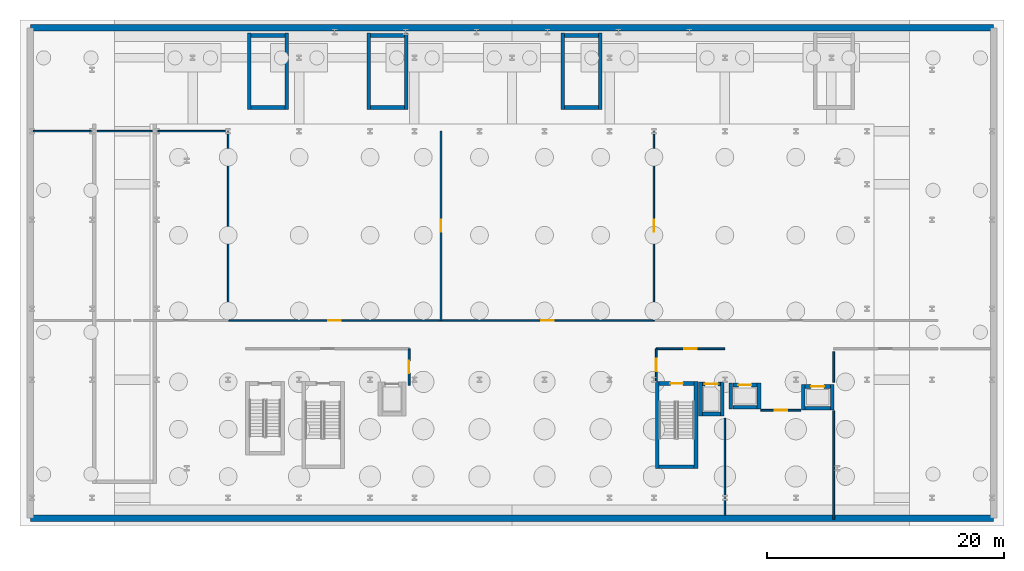
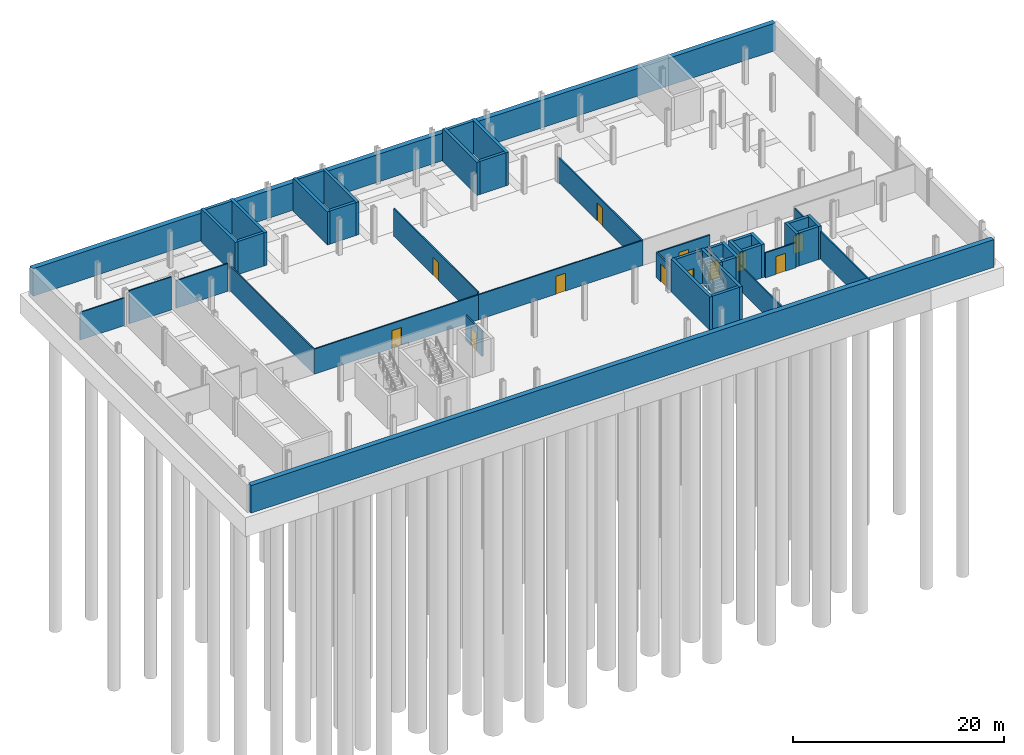
# One storey, part 3 of 7: 45 walls, 12 doors, 12 openings.
"""IFC4 building model written with IfcOpenShell, lengths in metres."""

import ifcopenshell
import ifcopenshell.guid

model = None  # the IFC model being written
_history = None  # IfcOwnerHistory: only IFC2X3 demands one
_inside = {}  # id of a spatial element -> (the spatial element, [elements in it])
_under = {}  # id of a project, library or spatial element -> (it, [spatial elements below it])
_declared = {}  # id of a project -> (the project, [libraries it declares])
_typed = {}  # id of a type object -> (the type object, [elements of that type])
_made_of = {}  # id of a material, layer set ... -> (it, [elements and type objects made of it])


def new_model(schema):
    """Start an empty IFC model of exactly this schema.

    Asked for "IFC4X3", IfcOpenShell would pick the latest addendum, in which some entities
    have other attributes; the version numbers below select the first issue.
    IFC2X3 requires an IfcOwnerHistory on every rooted entity: one is made here for all.
    """
    global model, _history
    if schema == "IFC4X3":
        model = ifcopenshell.file(schema_version=(4, 3, 0, 0))
    else:
        model = ifcopenshell.file(schema=schema)
    _inside.clear()
    _under.clear()
    _declared.clear()
    _typed.clear()
    _made_of.clear()
    _history = None
    if model.schema == "IFC2X3":
        org = make("IfcOrganization", Name="unknown")
        user = make(
            "IfcPersonAndOrganization",
            ThePerson=make("IfcPerson", FamilyName="unknown"),
            TheOrganization=org,
        )
        app = make(
            "IfcApplication",
            ApplicationDeveloper=org,
            Version="unknown",
            ApplicationFullName="unknown",
            ApplicationIdentifier="unknown",
        )
        _history = make(
            "IfcOwnerHistory",
            OwningUser=user,
            OwningApplication=app,
            ChangeAction="ADDED",
            CreationDate=0,
        )
    return model


def make(cls, **values):
    """One entity of the class cls with the attributes given. An attribute that is None is left unset."""
    return model.create_entity(
        cls, **{name: value for name, value in values.items() if value is not None}
    )


def rooted(cls, **values):
    """An entity with a GlobalId (a new one), such as an element, a storey or a relation."""
    return make(cls, GlobalId=ifcopenshell.guid.new(), OwnerHistory=_history, **values)


def si_unit(unit_type, name, prefix=None):
    """IfcSIUnit, for example si_unit("LENGTHUNIT", "METRE", prefix="MILLI")."""
    return make("IfcSIUnit", UnitType=unit_type, Prefix=prefix, Name=name)


def assignment(units):
    """IfcUnitAssignment: the units of a project."""
    return None if units is None else make("IfcUnitAssignment", Units=units)


def point(xyz):
    """IfcCartesianPoint."""
    return None if xyz is None else make("IfcCartesianPoint", Coordinates=xyz)


def direction(xyz):
    """IfcDirection."""
    return None if xyz is None else make("IfcDirection", DirectionRatios=xyz)


def frame(location, z_axis=None, x_axis=None):
    """IfcAxis2Placement3D, a coordinate frame: its origin and axes. An axis left out is left unset."""
    return make(
        "IfcAxis2Placement3D",
        Location=point(location),
        Axis=direction(z_axis),
        RefDirection=direction(x_axis),
    )


def frame_2d(location, x_axis=None):
    """IfcAxis2Placement2D, a coordinate frame in the plane: its origin and x axis."""
    return make(
        "IfcAxis2Placement2D", Location=point(location), RefDirection=direction(x_axis)
    )


def origin():
    """The frame at (0, 0, 0) with its axes left unset."""
    return frame((0.0, 0.0, 0.0))


def place(relative_to, where):
    """IfcLocalPlacement: puts the frame where relative to a parent placement (None: the world)."""
    return make(
        "IfcLocalPlacement", PlacementRelTo=relative_to, RelativePlacement=where
    )


def context(
    kind, dimensions, precision=None, world=None, true_north=None, identifier=None
):
    """IfcGeometricRepresentationContext, for example the 3D "Model" context."""
    return make(
        "IfcGeometricRepresentationContext",
        ContextIdentifier=identifier,
        ContextType=kind,
        CoordinateSpaceDimension=dimensions,
        Precision=precision,
        WorldCoordinateSystem=world,
        TrueNorth=true_north,
    )


def subcontext(parent, identifier, kind, view, scale=None):
    """IfcGeometricRepresentationSubContext, for example "Body" below "Model"."""
    return make(
        "IfcGeometricRepresentationSubContext",
        ContextIdentifier=identifier,
        ContextType=kind,
        ParentContext=parent,
        TargetScale=scale,
        TargetView=view,
    )


def project(units=None, contexts=None):
    """IfcProject with its units and contexts."""
    return rooted(
        "IfcProject",
        Name="project",
        RepresentationContexts=contexts,
        UnitsInContext=assignment(units),
    )


def spatial(cls, under=None, at=None, **own):
    """A site, building, storey or space (cls), placed at a placement, below another one or the project."""
    s = rooted(cls, ObjectPlacement=at, **own)
    if under is not None:
        _under.setdefault(under.id(), (under, []))[1].append(s)
    return s


def profile(cls, at=None, kind="AREA", **sizes):
    """A parametric profile (cls). Its sizes go by their IFC names, for example OverallWidth=200.0."""
    return make(cls, ProfileType=kind, Position=at, **sizes)


def rectangle(**sizes):
    """IfcRectangleProfileDef."""
    return profile("IfcRectangleProfileDef", **sizes)


def extrude(swept, where, along, depth):
    """IfcExtrudedAreaSolid: the profile swept, set in the frame where, extruded along a direction by depth."""
    return make(
        "IfcExtrudedAreaSolid",
        SweptArea=swept,
        Position=where,
        ExtrudedDirection=direction(along),
        Depth=depth,
    )


def shape(context_of_items, identifier, shape_type, items):
    """IfcShapeRepresentation: the items that make up one representation, for example the "Body"."""
    return make(
        "IfcShapeRepresentation",
        ContextOfItems=context_of_items,
        RepresentationIdentifier=identifier,
        RepresentationType=shape_type,
        Items=items,
    )


def material(Name=None, Category=None):
    """IfcMaterial."""
    return make("IfcMaterial", Name=Name, Category=Category)


def layer(
    of_material, thickness, ventilated=None, Name=None, Category=None, Priority=None
):
    """IfcMaterialLayer: one layer of a wall or slab, of a material (None: an air gap)."""
    return make(
        "IfcMaterialLayer",
        Material=of_material,
        LayerThickness=thickness,
        IsVentilated=ventilated,
        Name=Name,
        Category=Category,
        Priority=Priority,
    )


def layer_set(layers, Name=None):
    """IfcMaterialLayerSet."""
    return make("IfcMaterialLayerSet", MaterialLayers=layers, LayerSetName=Name)


def made_of(thing, what):
    """Note that an element or type object is made of a material, layer set ...; save() writes the relation."""
    if what is not None:
        _made_of.setdefault(what.id(), (what, []))[1].append(thing)
    return thing


def type_object(cls, material=None, **own):
    """A type object (cls), such as IfcWallType, which elements share."""
    return made_of(rooted(cls, **own), material)


def element(
    cls,
    number,
    at=None,
    inside=None,
    cuts=None,
    type_object=None,
    material=None,
    context=None,
    identifier="Body",
    shape_type=None,
    held_by="IfcProductDefinitionShape",
    body=None,
    shapes=None,
    **own,
):
    """One element of the class cls, such as IfcWall. Its Tag is "e" and its number.

    at: its placement. inside: the storey or other place that contains it. cuts: it is an
    opening in that element (IfcRelVoidsElement). A single representation is given by context,
    identifier, shape_type and body (its items); several are given by shapes. held_by: the class
    of the entity that holds the representations. save() writes the other relations.
    """
    e = rooted(cls, Tag="e%d" % number, ObjectPlacement=at, **own)
    if body is not None:
        shapes = [shape(context, identifier, shape_type, body)]
    if shapes is not None:
        e.Representation = make(held_by, Representations=shapes)
    if inside is not None:
        _inside.setdefault(inside.id(), (inside, []))[1].append(e)
    if cuts is not None:
        rooted(
            "IfcRelVoidsElement", RelatingBuildingElement=cuts, RelatedOpeningElement=e
        )
    if type_object is not None:
        _typed.setdefault(type_object.id(), (type_object, []))[1].append(e)
    return made_of(e, material)


def fill(opening, filler):
    """IfcRelFillsElement: the door or window that sits in an opening."""
    return rooted(
        "IfcRelFillsElement",
        RelatingOpeningElement=opening,
        RelatedBuildingElement=filler,
    )


def aggregate(whole, parts):
    """IfcRelAggregates: a whole, such as a stair, and the parts it consists of."""
    return rooted("IfcRelAggregates", RelatingObject=whole, RelatedObjects=parts)


def save(model, path):
    """Write the relations noted so far, then the file.

    IfcRelAggregates (storeys below a building ...), IfcRelContainedInSpatialStructure (elements
    in a storey), IfcRelDefinesByType, IfcRelAssociatesMaterial and IfcRelDeclares: one each for
    every whole, place, type object, material and project.
    """
    for whole, parts in _under.values():
        aggregate(whole, parts)
    for where, things in _inside.values():
        rooted(
            "IfcRelContainedInSpatialStructure",
            RelatedElements=things,
            RelatingStructure=where,
        )
    for kind, things in _typed.values():
        rooted("IfcRelDefinesByType", RelatedObjects=things, RelatingType=kind)
    for what, things in _made_of.values():
        rooted("IfcRelAssociatesMaterial", RelatedObjects=things, RelatingMaterial=what)
    for by, libraries in _declared.values():
        rooted("IfcRelDeclares", RelatingContext=by, RelatedDefinitions=libraries)
    model.write(path)


model = new_model("IFC4")

# Units and contexts
model_context = context("Model", 3, precision=1e-05, world=origin(), true_north=direction((0.0, 1.0)))
body_context = subcontext(model_context, "Body", "Model", "MODEL_VIEW")
ifc_project = project(units=[si_unit("LENGTHUNIT", "METRE"), si_unit("AREAUNIT", "SQUARE_METRE"), si_unit("VOLUMEUNIT", "CUBIC_METRE"), si_unit("PLANEANGLEUNIT", "RADIAN"), si_unit("MASSUNIT", "GRAM", prefix="KILO")], contexts=[model_context])

# Site, building, storey
site_placement = place(None, origin())
site = spatial("IfcSite", under=ifc_project, at=site_placement, CompositionType="ELEMENT")
building_placement = place(site_placement, origin())
building = spatial("IfcBuilding", under=site, at=building_placement, Name="Brevholm Reach", CompositionType="ELEMENT")
storey_placement = place(building_placement, frame((0.0, 0.0, -8.39990234375)))
storey = spatial("IfcBuildingStorey", under=building, at=storey_placement, Name="B02", CompositionType="ELEMENT", Elevation=-8.39990234375)

# Walls
ifc_material_1 = material(Name="Concrete C60/75", Category="concrete")
ifc_layer_1 = layer(ifc_material_1, 0.320068359375)
ifc_layer_set_1 = layer_set([ifc_layer_1], Name="Concrete C60/75")
wall_type_1 = type_object("IfcWallType", Name="WAL-COR-320", PredefinedType="SHEAR", material=ifc_layer_set_1)
for number, where, z_axis, x_axis, name in (
    (1, (42.2900390625, 2.4599609375, 0.0), (0.0, 0.0, 1.0), (0.0, 1.0, 0.0), "B02 Escape Stair ST-2 Core Wall W"),
    (2, (45.56005859375, 2.4599609375, 0.0), (0.0, 0.0, 1.0), (0.0, 1.0, 0.0), "B02 Escape Stair ST-2 Core Wall E"),
):
    element("IfcWall", number, at=place(storey_placement, frame(where, z_axis=z_axis, x_axis=x_axis)), inside=storey, type_object=wall_type_1, Name=name, PredefinedType="SHEAR", context=body_context, shape_type="SweptSolid", body=[
        extrude(rectangle(XDim=7.360107421875, YDim=0.320068359375, at=frame_2d((3.68017578125, 0.0))), origin(), (0.0, 0.0, 1.0), 3.83984375),
    ])
wall_1_placement = place(storey_placement, frame((42.449951171875, 2.6201171875, 0.0), z_axis=(0.0, 0.0, 1.0), x_axis=(1.0, 0.0, 0.0)))
element("IfcWall", 3, at=wall_1_placement, inside=storey, type_object=wall_type_1, Name="B02 Escape Stair ST-2 Core Wall S", PredefinedType="SHEAR", context=body_context, shape_type="SweptSolid", body=[
    extrude(rectangle(XDim=2.949951171875, YDim=0.320068359375, at=frame_2d((1.47509765625, 0.0))), origin(), (0.0, 0.0, 1.0), 3.83984375),
])

# Wall, opening, door
wall_2_placement = place(storey_placement, frame((45.39990234375, 9.659912109375, 0.0), z_axis=(0.0, 0.0, 1.0), x_axis=(-1.0, 0.0, 0.0)))
wall_2 = element("IfcWall", 4, at=wall_2_placement, inside=storey, type_object=wall_type_1, Name="B02 Escape Stair ST-2 Core Wall N", PredefinedType="SHEAR", context=body_context, shape_type="SweptSolid", body=[
    extrude(rectangle(XDim=2.949951171875, YDim=0.320068359375, at=frame_2d((1.47509765625, 0.0))), origin(), (0.0, 0.0, 1.0), 3.83984375),
])
opening_1_placement = place(wall_2_placement, frame((0.949951171875, 0.0, 0.0)))
opening_1 = element("IfcOpeningElement", 5, at=opening_1_placement, cuts=wall_2, Name="Opening SD-ST-2", PredefinedType="OPENING", context=body_context, shape_type="SweptSolid", body=[
    extrude(rectangle(XDim=1.050048828125, YDim=2.06005859375, at=frame_2d((0.52490234375, 1.030029296875))), frame((0.0, 0.169921875, 0.0), z_axis=(0.0, -1.0, 0.0), x_axis=(1.0, 0.0, 0.0)), (0.0, 0.0, 1.0), 0.340087890625),
])
ifc_material_2 = material(Name="Hardwood-Lipped Steel-Core Fire and Smoke Door", Category="steel")
door_type_1 = type_object("IfcDoorType", Name="DOR-INT-FD60S", OperationType="NOTDEFINED", PredefinedType="DOOR", material=ifc_material_2)
door_1_placement = place(opening_1_placement, origin())
door_1 = element("IfcDoor", 6, at=door_1_placement, inside=storey, type_object=door_type_1, Name="B02 Protected Stair ST-2 Lobby Door", OperationType="SINGLE_SWING_LEFT", OverallHeight=2.06005859375, OverallWidth=1.050048828125, PredefinedType="DOOR", context=body_context, shape_type="SweptSolid", body=[
    extrude(rectangle(XDim=1.050048828125, YDim=2.06005859375, at=frame_2d((0.52490234375, 1.030029296875))), frame((0.0, 0.02490234375, 0.0), z_axis=(0.0, -1.0, 0.0), x_axis=(1.0, 0.0, 0.0)), (0.0, 0.0, 1.0), 0.050048828125),
])
fill(opening_1, door_1)

# Walls
for number, where, z_axis, x_axis, name in (
    (7, (45.929931640625, 6.919921875, 0.0), (0.0, 0.0, 1.0), (0.0, 1.0, 0.0), "B02 Lift FFL-2 Shaft Wall W"),
    (8, (47.77001953125, 6.919921875, 0.0), (0.0, 0.0, 1.0), (0.0, 1.0, 0.0), "B02 Lift FFL-2 Shaft Wall E"),
):
    element("IfcWall", number, at=place(storey_placement, frame(where, z_axis=z_axis, x_axis=x_axis)), inside=storey, type_object=wall_type_1, Name=name, PredefinedType="SHEAR", context=body_context, shape_type="SweptSolid", body=[
        extrude(rectangle(XDim=2.860107421875, YDim=0.320068359375, at=frame_2d((1.43017578125, 0.0))), origin(), (0.0, 0.0, 1.0), 3.83984375),
    ])
wall_3_placement = place(storey_placement, frame((46.090087890625, 7.080078125, 0.0), z_axis=(0.0, 0.0, 1.0), x_axis=(1.0, 0.0, 0.0)))
element("IfcWall", 9, at=wall_3_placement, inside=storey, type_object=wall_type_1, Name="B02 Lift FFL-2 Shaft Wall S", PredefinedType="SHEAR", context=body_context, shape_type="SweptSolid", body=[
    extrude(rectangle(XDim=1.52001953125, YDim=0.320068359375, at=frame_2d((0.760009765625, 0.0))), origin(), (0.0, 0.0, 1.0), 3.83984375),
])

# Wall, opening, door
wall_4_placement = place(storey_placement, frame((46.090087890625, 9.6201171875, 0.0), z_axis=(0.0, 0.0, 1.0), x_axis=(1.0, 0.0, 0.0)))
wall_4 = element("IfcWall", 10, at=wall_4_placement, inside=storey, type_object=wall_type_1, Name="B02 Lift FFL-2 Shaft Wall N", PredefinedType="SHEAR", context=body_context, shape_type="SweptSolid", body=[
    extrude(rectangle(XDim=1.52001953125, YDim=0.320068359375, at=frame_2d((0.760009765625, 0.0))), origin(), (0.0, 0.0, 1.0), 3.83984375),
])
opening_2_placement = place(wall_4_placement, frame((0.2099609375, 0.0, 0.0)))
opening_2 = element("IfcOpeningElement", 11, at=opening_2_placement, cuts=wall_4, Name="Opening LD-FFL-2", PredefinedType="OPENING", context=body_context, shape_type="SweptSolid", body=[
    extrude(rectangle(XDim=1.10009765625, YDim=2.06005859375, at=frame_2d((0.550048828125, 1.030029296875))), frame((0.0, 0.169921875, 0.0), z_axis=(0.0, -1.0, 0.0), x_axis=(1.0, 0.0, 0.0)), (0.0, 0.0, 1.0), 0.340087890625),
])
ifc_material_3 = material(Name="Brushed Stainless Steel Fire-Rated Sliding Lift Door", Category="steel")
door_type_2 = type_object("IfcDoorType", Name="DOR-LFT-1100", OperationType="NOTDEFINED", PredefinedType="DOOR", material=ifc_material_3)
door_2_placement = place(opening_2_placement, origin())
door_2 = element("IfcDoor", 12, at=door_2_placement, inside=storey, type_object=door_type_2, Name="B02 Lift FFL-2 Sliding Landing Door", OperationType="SLIDING_TO_LEFT", OverallHeight=2.06005859375, OverallWidth=1.10009765625, PredefinedType="DOOR", context=body_context, shape_type="SweptSolid", body=[
    extrude(rectangle(XDim=1.10009765625, YDim=2.06005859375, at=frame_2d((0.550048828125, 1.030029296875))), frame((0.0, 0.02490234375, 0.0), z_axis=(0.0, -1.0, 0.0), x_axis=(1.0, 0.0, 0.0)), (0.0, 0.0, 1.0), 0.050048828125),
])
fill(opening_2, door_2)

# Walls
for number, where, z_axis, x_axis, name in (
    (13, (48.5048828125, 7.4951171875, 0.0), (0.0, 0.0, 1.0), (0.0, 1.0, 0.0), "B02 Lift PL-L1 Shaft Wall W"),
    (14, (50.89501953125, 7.4951171875, 0.0), (0.0, 0.0, 1.0), (0.0, 1.0, 0.0), "B02 Lift PL-L1 Shaft Wall E"),
):
    element("IfcWall", number, at=place(storey_placement, frame(where, z_axis=z_axis, x_axis=x_axis)), inside=storey, type_object=wall_type_1, Name=name, PredefinedType="SHEAR", context=body_context, shape_type="SweptSolid", body=[
        extrude(rectangle(XDim=2.2099609375, YDim=0.320068359375, at=frame_2d((1.10498046875, 0.0))), origin(), (0.0, 0.0, 1.0), 3.83984375),
    ])
wall_5_placement = place(storey_placement, frame((48.6650390625, 7.655029296875, 0.0), z_axis=(0.0, 0.0, 1.0), x_axis=(1.0, 0.0, 0.0)))
element("IfcWall", 15, at=wall_5_placement, inside=storey, type_object=wall_type_1, Name="B02 Lift PL-L1 Shaft Wall S", PredefinedType="SHEAR", context=body_context, shape_type="SweptSolid", body=[
    extrude(rectangle(XDim=2.070068359375, YDim=0.320068359375, at=frame_2d((1.03515625, 0.0))), origin(), (0.0, 0.0, 1.0), 3.83984375),
])

# Wall, opening, door
wall_6_placement = place(storey_placement, frame((48.6650390625, 9.544921875, 0.0), z_axis=(0.0, 0.0, 1.0), x_axis=(1.0, 0.0, 0.0)))
wall_6 = element("IfcWall", 16, at=wall_6_placement, inside=storey, type_object=wall_type_1, Name="B02 Lift PL-L1 Shaft Wall N", PredefinedType="SHEAR", context=body_context, shape_type="SweptSolid", body=[
    extrude(rectangle(XDim=2.070068359375, YDim=0.320068359375, at=frame_2d((1.03515625, 0.0))), origin(), (0.0, 0.0, 1.0), 3.83984375),
])
opening_3_placement = place(wall_6_placement, frame((0.485107421875, 0.0, 0.0)))
opening_3 = element("IfcOpeningElement", 17, at=opening_3_placement, cuts=wall_6, Name="Opening LD-PL-L1", PredefinedType="OPENING", context=body_context, shape_type="SweptSolid", body=[
    extrude(rectangle(XDim=1.10009765625, YDim=2.06005859375, at=frame_2d((0.550048828125, 1.030029296875))), frame((0.0, 0.169921875, 0.0), z_axis=(0.0, -1.0, 0.0), x_axis=(1.0, 0.0, 0.0)), (0.0, 0.0, 1.0), 0.340087890625),
])
door_3_placement = place(opening_3_placement, origin())
door_3 = element("IfcDoor", 18, at=door_3_placement, inside=storey, type_object=door_type_2, Name="B02 Lift PL-L1 Sliding Landing Door", OperationType="SLIDING_TO_RIGHT", OverallHeight=2.06005859375, OverallWidth=1.10009765625, PredefinedType="DOOR", context=body_context, shape_type="SweptSolid", body=[
    extrude(rectangle(XDim=1.10009765625, YDim=2.06005859375, at=frame_2d((0.550048828125, 1.030029296875))), frame((0.0, 0.02490234375, 0.0), z_axis=(0.0, -1.0, 0.0), x_axis=(1.0, 0.0, 0.0)), (0.0, 0.0, 1.0), 0.050048828125),
])
fill(opening_3, door_3)

# Walls
for number, where, z_axis, x_axis, name in (
    (19, (54.6298828125, 7.419921875, 0.0), (0.0, 0.0, 1.0), (0.0, 1.0, 0.0), "B02 Lift PL-L2 Shaft Wall W"),
    (20, (57.070068359375, 7.419921875, 0.0), (0.0, 0.0, 1.0), (0.0, 1.0, 0.0), "B02 Lift PL-L2 Shaft Wall E"),
):
    element("IfcWall", number, at=place(storey_placement, frame(where, z_axis=z_axis, x_axis=x_axis)), inside=storey, type_object=wall_type_1, Name=name, PredefinedType="SHEAR", context=body_context, shape_type="SweptSolid", body=[
        extrude(rectangle(XDim=2.16015625, YDim=0.320068359375, at=frame_2d((1.080078125, 0.0))), origin(), (0.0, 0.0, 1.0), 3.83984375),
    ])
wall_7_placement = place(storey_placement, frame((54.7900390625, 7.580078125, 0.0), z_axis=(0.0, 0.0, 1.0), x_axis=(1.0, 0.0, 0.0)))
element("IfcWall", 21, at=wall_7_placement, inside=storey, type_object=wall_type_1, Name="B02 Lift PL-L2 Shaft Wall S", PredefinedType="SHEAR", context=body_context, shape_type="SweptSolid", body=[
    extrude(rectangle(XDim=2.119873046875, YDim=0.320068359375, at=frame_2d((1.06005859375, 0.0))), origin(), (0.0, 0.0, 1.0), 3.83984375),
])

# Wall, opening, door
wall_8_placement = place(storey_placement, frame((54.7900390625, 9.419921875, 0.0), z_axis=(0.0, 0.0, 1.0), x_axis=(1.0, 0.0, 0.0)))
wall_8 = element("IfcWall", 22, at=wall_8_placement, inside=storey, type_object=wall_type_1, Name="B02 Lift PL-L2 Shaft Wall N", PredefinedType="SHEAR", context=body_context, shape_type="SweptSolid", body=[
    extrude(rectangle(XDim=2.119873046875, YDim=0.320068359375, at=frame_2d((1.06005859375, 0.0))), origin(), (0.0, 0.0, 1.0), 3.83984375),
])
opening_4_placement = place(wall_8_placement, frame((0.510009765625, 0.0, 0.0)))
opening_4 = element("IfcOpeningElement", 23, at=opening_4_placement, cuts=wall_8, Name="Opening LD-PL-L2", PredefinedType="OPENING", context=body_context, shape_type="SweptSolid", body=[
    extrude(rectangle(XDim=1.10009765625, YDim=2.06005859375, at=frame_2d((0.550048828125, 1.030029296875))), frame((0.0, 0.169921875, 0.0), z_axis=(0.0, -1.0, 0.0), x_axis=(1.0, 0.0, 0.0)), (0.0, 0.0, 1.0), 0.340087890625),
])
door_4_placement = place(opening_4_placement, origin())
door_4 = element("IfcDoor", 24, at=door_4_placement, inside=storey, type_object=door_type_2, Name="B02 Lift PL-L2 Sliding Landing Door", OperationType="SLIDING_TO_LEFT", OverallHeight=2.06005859375, OverallWidth=1.10009765625, PredefinedType="DOOR", context=body_context, shape_type="SweptSolid", body=[
    extrude(rectangle(XDim=1.10009765625, YDim=2.06005859375, at=frame_2d((0.550048828125, 1.030029296875))), frame((0.0, 0.02490234375, 0.0), z_axis=(0.0, -1.0, 0.0), x_axis=(1.0, 0.0, 0.0)), (0.0, 0.0, 1.0), 0.050048828125),
])
fill(opening_4, door_4)

# Walls
for number, where, z_axis, x_axis, name in (
    (25, (7.7900390625, 32.830078125, 0.0), (0.0, 0.0, 1.0), (0.0, 1.0, 0.0), "B02 North Stair Plinth Shear Wall ST-S1-W"),
    (26, (10.9599609375, 32.830078125, 0.0), (0.0, 0.0, 1.0), (0.0, 1.0, 0.0), "B02 North Stair Plinth Shear Wall ST-S1-E"),
):
    element("IfcWall", number, at=place(storey_placement, frame(where, z_axis=z_axis, x_axis=x_axis)), inside=storey, type_object=wall_type_1, Name=name, PredefinedType="SHEAR", context=body_context, shape_type="SweptSolid", body=[
        extrude(rectangle(XDim=6.489990234375, YDim=0.320068359375, at=frame_2d((3.2451171875, 0.0))), origin(), (0.0, 0.0, 1.0), 3.83984375),
    ])
for number, where, z_axis, x_axis, name in (
    (27, (7.949951171875, 32.989990234375, 0.0), (0.0, 0.0, 1.0), (1.0, 0.0, 0.0), "B02 North Stair Plinth Shear Wall ST-S1-S"),
    (28, (7.949951171875, 39.090087890625, 0.0), (0.0, 0.0, 1.0), (1.0, 0.0, 0.0), "B02 North Stair Plinth Shear Wall ST-S1-N"),
):
    element("IfcWall", number, at=place(storey_placement, frame(where, z_axis=z_axis, x_axis=x_axis)), inside=storey, type_object=wall_type_1, Name=name, PredefinedType="SHEAR", context=body_context, shape_type="SweptSolid", body=[
        extrude(rectangle(XDim=2.85009765625, YDim=0.320068359375, at=frame_2d((1.425048828125, 0.0))), origin(), (0.0, 0.0, 1.0), 3.83984375),
    ])
for number, where, z_axis, x_axis, name in (
    (29, (17.889892578125, 32.830078125, 0.0), (0.0, 0.0, 1.0), (0.0, 1.0, 0.0), "B02 North Stair Plinth Shear Wall ST-S2-W"),
    (30, (21.06005859375, 32.830078125, 0.0), (0.0, 0.0, 1.0), (0.0, 1.0, 0.0), "B02 North Stair Plinth Shear Wall ST-S2-E"),
):
    element("IfcWall", number, at=place(storey_placement, frame(where, z_axis=z_axis, x_axis=x_axis)), inside=storey, type_object=wall_type_1, Name=name, PredefinedType="SHEAR", context=body_context, shape_type="SweptSolid", body=[
        extrude(rectangle(XDim=6.489990234375, YDim=0.320068359375, at=frame_2d((3.2451171875, 0.0))), origin(), (0.0, 0.0, 1.0), 3.83984375),
    ])
for number, where, z_axis, x_axis, name in (
    (31, (18.050048828125, 32.989990234375, 0.0), (0.0, 0.0, 1.0), (1.0, 0.0, 0.0), "B02 North Stair Plinth Shear Wall ST-S2-S"),
    (32, (18.050048828125, 39.090087890625, 0.0), (0.0, 0.0, 1.0), (1.0, 0.0, 0.0), "B02 North Stair Plinth Shear Wall ST-S2-N"),
):
    element("IfcWall", number, at=place(storey_placement, frame(where, z_axis=z_axis, x_axis=x_axis)), inside=storey, type_object=wall_type_1, Name=name, PredefinedType="SHEAR", context=body_context, shape_type="SweptSolid", body=[
        extrude(rectangle(XDim=2.849853515625, YDim=0.320068359375, at=frame_2d((1.4248046875, 0.0))), origin(), (0.0, 0.0, 1.0), 3.83984375),
    ])
for number, where, z_axis, x_axis, name in (
    (33, (34.2900390625, 32.830078125, 0.0), (0.0, 0.0, 1.0), (0.0, 1.0, 0.0), "B02 North Stair Plinth Shear Wall ST-S3-W"),
    (34, (37.4599609375, 32.830078125, 0.0), (0.0, 0.0, 1.0), (0.0, 1.0, 0.0), "B02 North Stair Plinth Shear Wall ST-S3-E"),
):
    element("IfcWall", number, at=place(storey_placement, frame(where, z_axis=z_axis, x_axis=x_axis)), inside=storey, type_object=wall_type_1, Name=name, PredefinedType="SHEAR", context=body_context, shape_type="SweptSolid", body=[
        extrude(rectangle(XDim=6.489990234375, YDim=0.320068359375, at=frame_2d((3.2451171875, 0.0))), origin(), (0.0, 0.0, 1.0), 3.83984375),
    ])
for number, where, z_axis, x_axis, name in (
    (35, (34.449951171875, 32.989990234375, 0.0), (0.0, 0.0, 1.0), (1.0, 0.0, 0.0), "B02 North Stair Plinth Shear Wall ST-S3-S"),
    (36, (34.449951171875, 39.090087890625, 0.0), (0.0, 0.0, 1.0), (1.0, 0.0, 0.0), "B02 North Stair Plinth Shear Wall ST-S3-N"),
):
    element("IfcWall", number, at=place(storey_placement, frame(where, z_axis=z_axis, x_axis=x_axis)), inside=storey, type_object=wall_type_1, Name=name, PredefinedType="SHEAR", context=body_context, shape_type="SweptSolid", body=[
        extrude(rectangle(XDim=2.85009765625, YDim=0.320068359375, at=frame_2d((1.425048828125, 0.0))), origin(), (0.0, 0.0, 1.0), 3.83984375),
    ])

# Wall, opening, door
ifc_material_4 = material(Name="Twin-Stud Acoustic Fire-Rated Gypsum Partition 140 mm", Category="gypsum")
ifc_layer_2 = layer(ifc_material_4, 0.139892578125)
ifc_layer_set_2 = layer_set([ifc_layer_2], Name="Twin-Stud Acoustic Fire-Rated Gypsum Partition 140 mm")
wall_type_2 = type_object("IfcWallType", Name="WAL-PRT-140", PredefinedType="PARTITIONING", material=ifc_layer_set_2)
wall_9_placement = place(storey_placement, frame((5.99267578125, 15.0, 0.0), z_axis=(0.0, 0.0, 1.0), x_axis=(1.0, 0.0, 0.0)))
wall_9 = element("IfcWall", 37, at=wall_9_placement, inside=storey, type_object=wall_type_2, Name="B02 Internal Partition 006", PredefinedType="PARTITIONING", context=body_context, shape_type="SweptSolid", body=[
    extrude(rectangle(XDim=18.0185546875, YDim=0.139892578125, at=frame_2d((9.00927734375, 0.0))), origin(), (0.0, 0.0, 1.0), 2.893798828125),
])
opening_5_placement = place(wall_9_placement, frame((8.484375, 0.0, 0.0)))
opening_5 = element("IfcOpeningElement", 38, at=opening_5_placement, cuts=wall_9, Name="Opening FD-01", PredefinedType="OPENING", context=body_context, shape_type="SweptSolid", body=[
    extrude(rectangle(XDim=1.050048828125, YDim=2.06005859375, at=frame_2d((0.52490234375, 1.030029296875))), frame((0.0, 0.079833984375, 0.0), z_axis=(0.0, -1.0, 0.0), x_axis=(1.0, 0.0, 0.0)), (0.0, 0.0, 1.0), 0.159912109375),
])
door_5_placement = place(opening_5_placement, origin())
door_5 = element("IfcDoor", 39, at=door_5_placement, inside=storey, type_object=door_type_1, Name="B02 Internal Door 006", OperationType="SINGLE_SWING_RIGHT", OverallHeight=2.06005859375, OverallWidth=1.050048828125, PredefinedType="DOOR", context=body_context, shape_type="SweptSolid", body=[
    extrude(rectangle(XDim=1.050048828125, YDim=2.06005859375, at=frame_2d((0.52490234375, 1.030029296875))), frame((0.0, 0.02490234375, 0.0), z_axis=(0.0, -1.0, 0.0), x_axis=(1.0, 0.0, 0.0)), (0.0, 0.0, 1.0), 0.050048828125),
])
fill(opening_5, door_5)

wall_10_placement = place(storey_placement, frame((23.99267578125, 15.0, 0.0), z_axis=(0.0, 0.0, 1.0), x_axis=(1.0, 0.0, 0.0)))
wall_10 = element("IfcWall", 40, at=wall_10_placement, inside=storey, type_object=wall_type_2, Name="B02 Internal Partition 007", PredefinedType="PARTITIONING", context=body_context, shape_type="SweptSolid", body=[
    extrude(rectangle(XDim=18.0185546875, YDim=0.139892578125, at=frame_2d((9.00927734375, 0.0))), origin(), (0.0, 0.0, 1.0), 2.893798828125),
])
opening_6_placement = place(wall_10_placement, frame((8.484375, 0.0, 0.0)))
opening_6 = element("IfcOpeningElement", 41, at=opening_6_placement, cuts=wall_10, Name="Opening FD-01", PredefinedType="OPENING", context=body_context, shape_type="SweptSolid", body=[
    extrude(rectangle(XDim=1.050048828125, YDim=2.06005859375, at=frame_2d((0.52490234375, 1.030029296875))), frame((0.0, 0.079833984375, 0.0), z_axis=(0.0, -1.0, 0.0), x_axis=(1.0, 0.0, 0.0)), (0.0, 0.0, 1.0), 0.159912109375),
])
door_6_placement = place(opening_6_placement, origin())
door_6 = element("IfcDoor", 42, at=door_6_placement, inside=storey, type_object=door_type_1, Name="B02 Internal Door 007", OperationType="SINGLE_SWING_LEFT", OverallHeight=2.06005859375, OverallWidth=1.050048828125, PredefinedType="DOOR", context=body_context, shape_type="SweptSolid", body=[
    extrude(rectangle(XDim=1.050048828125, YDim=2.06005859375, at=frame_2d((0.52490234375, 1.030029296875))), frame((0.0, 0.02490234375, 0.0), z_axis=(0.0, -1.0, 0.0), x_axis=(1.0, 0.0, 0.0)), (0.0, 0.0, 1.0), 0.050048828125),
])
fill(opening_6, door_6)

# Wall
wall_11_placement = place(storey_placement, frame((6.0, 15.00390625, 0.0), z_axis=(0.0, 0.0, 1.0), x_axis=(0.0, 1.0, 0.0)))
element("IfcWall", 43, at=wall_11_placement, inside=storey, type_object=wall_type_2, Name="B02 Internal Partition 010", PredefinedType="PARTITIONING", context=body_context, shape_type="SweptSolid", body=[
    extrude(rectangle(XDim=15.99609375, YDim=0.139892578125, at=frame_2d((7.998046875, 0.0))), origin(), (0.0, 0.0, 1.0), 2.893798828125),
])

# Wall, opening, door
wall_12_placement = place(storey_placement, frame((24.0, 15.00390625, 0.0), z_axis=(0.0, 0.0, 1.0), x_axis=(0.0, 1.0, 0.0)))
wall_12 = element("IfcWall", 44, at=wall_12_placement, inside=storey, type_object=wall_type_2, Name="B02 Internal Partition 011", PredefinedType="PARTITIONING", context=body_context, shape_type="SweptSolid", body=[
    extrude(rectangle(XDim=15.99609375, YDim=0.139892578125, at=frame_2d((7.998046875, 0.0))), origin(), (0.0, 0.0, 1.0), 3.20263671875),
])
opening_7_placement = place(wall_12_placement, frame((7.472900390625, 0.0, 0.0)))
opening_7 = element("IfcOpeningElement", 45, at=opening_7_placement, cuts=wall_12, Name="Opening FD-01", PredefinedType="OPENING", context=body_context, shape_type="SweptSolid", body=[
    extrude(rectangle(XDim=1.050048828125, YDim=2.06005859375, at=frame_2d((0.52490234375, 1.030029296875))), frame((0.0, 0.079833984375, 0.0), z_axis=(0.0, -1.0, 0.0), x_axis=(1.0, 0.0, 0.0)), (0.0, 0.0, 1.0), 0.159912109375),
])
door_7_placement = place(opening_7_placement, origin())
door_7 = element("IfcDoor", 46, at=door_7_placement, inside=storey, type_object=door_type_1, Name="B02 Internal Door 010", OperationType="SINGLE_SWING_RIGHT", OverallHeight=2.06005859375, OverallWidth=1.050048828125, PredefinedType="DOOR", context=body_context, shape_type="SweptSolid", body=[
    extrude(rectangle(XDim=1.050048828125, YDim=2.06005859375, at=frame_2d((0.52490234375, 1.030029296875))), frame((0.0, 0.02490234375, 0.0), z_axis=(0.0, -1.0, 0.0), x_axis=(1.0, 0.0, 0.0)), (0.0, 0.0, 1.0), 0.050048828125),
])
fill(opening_7, door_7)

wall_13_placement = place(storey_placement, frame((42.0, 15.00390625, 0.0), z_axis=(0.0, 0.0, 1.0), x_axis=(0.0, 1.0, 0.0)))
wall_13 = element("IfcWall", 47, at=wall_13_placement, inside=storey, type_object=wall_type_2, Name="B02 Internal Partition 012", PredefinedType="PARTITIONING", context=body_context, shape_type="SweptSolid", body=[
    extrude(rectangle(XDim=15.99609375, YDim=0.139892578125, at=frame_2d((7.998046875, 0.0))), origin(), (0.0, 0.0, 1.0), 2.893798828125),
])
opening_8_placement = place(wall_13_placement, frame((7.472900390625, 0.0, 0.0)))
opening_8 = element("IfcOpeningElement", 48, at=opening_8_placement, cuts=wall_13, Name="Opening FD-01", PredefinedType="OPENING", context=body_context, shape_type="SweptSolid", body=[
    extrude(rectangle(XDim=1.050048828125, YDim=2.06005859375, at=frame_2d((0.52490234375, 1.030029296875))), frame((0.0, 0.079833984375, 0.0), z_axis=(0.0, -1.0, 0.0), x_axis=(1.0, 0.0, 0.0)), (0.0, 0.0, 1.0), 0.159912109375),
])
door_8_placement = place(opening_8_placement, origin())
door_8 = element("IfcDoor", 49, at=door_8_placement, inside=storey, type_object=door_type_1, Name="B02 Internal Door 011", OperationType="SINGLE_SWING_LEFT", OverallHeight=2.06005859375, OverallWidth=1.050048828125, PredefinedType="DOOR", context=body_context, shape_type="SweptSolid", body=[
    extrude(rectangle(XDim=1.050048828125, YDim=2.06005859375, at=frame_2d((0.52490234375, 1.030029296875))), frame((0.0, 0.02490234375, 0.0), z_axis=(0.0, -1.0, 0.0), x_axis=(1.0, 0.0, 0.0)), (0.0, 0.0, 1.0), 0.050048828125),
])
fill(opening_8, door_8)

# Wall
wall_14_placement = place(storey_placement, frame((57.199951171875, -1.800048828125, 0.0), z_axis=(0.0, 0.0, 1.0), x_axis=(0.0, 1.0, 0.0)))
element("IfcWall", 50, at=wall_14_placement, inside=storey, type_object=wall_type_2, Name="B02 Internal Partition 013", PredefinedType="PARTITIONING", context=body_context, shape_type="SweptSolid", body=[
    extrude(rectangle(XDim=9.179931640625, YDim=0.139892578125, at=frame_2d((4.58984375, 0.0))), origin(), (0.0, 0.0, 1.0), 3.20263671875),
])

# Wall, opening, door
wall_15_placement = place(storey_placement, frame((51.038818359375, 7.39990234375, 0.0), z_axis=(0.0, 0.0, 1.0), x_axis=(1.0, 0.0, 0.0)))
wall_15 = element("IfcWall", 51, at=wall_15_placement, inside=storey, type_object=wall_type_2, Name="B02 Internal Partition 014", PredefinedType="PARTITIONING", context=body_context, shape_type="SweptSolid", body=[
    extrude(rectangle(XDim=3.39111328125, YDim=0.139892578125, at=frame_2d((1.695556640625, 0.0))), origin(), (0.0, 0.0, 1.0), 2.893798828125),
])
opening_9_placement = place(wall_15_placement, frame((1.170654296875, 0.0, 0.0)))
opening_9 = element("IfcOpeningElement", 52, at=opening_9_placement, cuts=wall_15, Name="Opening FD-01", PredefinedType="OPENING", context=body_context, shape_type="SweptSolid", body=[
    extrude(rectangle(XDim=1.050048828125, YDim=2.06005859375, at=frame_2d((0.52490234375, 1.030029296875))), frame((0.0, 0.079833984375, 0.0), z_axis=(0.0, -1.0, 0.0), x_axis=(1.0, 0.0, 0.0)), (0.0, 0.0, 1.0), 0.159912109375),
])
door_9_placement = place(opening_9_placement, origin())
door_9 = element("IfcDoor", 53, at=door_9_placement, inside=storey, type_object=door_type_1, Name="B02 Internal Door 012", OperationType="SINGLE_SWING_RIGHT", OverallHeight=2.06005859375, OverallWidth=1.050048828125, PredefinedType="DOOR", context=body_context, shape_type="SweptSolid", body=[
    extrude(rectangle(XDim=1.050048828125, YDim=2.06005859375, at=frame_2d((0.52490234375, 1.030029296875))), frame((0.0, 0.02490234375, 0.0), z_axis=(0.0, -1.0, 0.0), x_axis=(1.0, 0.0, 0.0)), (0.0, 0.0, 1.0), 0.050048828125),
])
fill(opening_9, door_9)

# Walls
wall_16_placement = place(storey_placement, frame((0.050048828125, 31.0, 0.0), z_axis=(0.0, 0.0, 1.0), x_axis=(1.0, 0.0, 0.0)))
element("IfcWall", 54, at=wall_16_placement, inside=storey, type_object=wall_type_2, Name="B02 Internal Partition 017", PredefinedType="PARTITIONING", context=body_context, shape_type="SweptSolid", body=[
    extrude(rectangle(XDim=5.7099609375, YDim=0.139892578125, at=frame_2d((2.85498046875, 0.0))), origin(), (0.0, 0.0, 1.0), 3.20263671875),
])
wall_17_placement = place(storey_placement, frame((-5.070068359375, 31.0, 0.0), z_axis=(0.0, 0.0, 1.0), x_axis=(1.0, 0.0, 0.0)))
element("IfcWall", 55, at=wall_17_placement, inside=storey, type_object=wall_type_2, Name="B02 Internal Partition 018", PredefinedType="PARTITIONING", context=body_context, shape_type="SweptSolid", body=[
    extrude(rectangle(XDim=4.64013671875, YDim=0.139892578125, at=frame_2d((2.320068359375, 0.0))), origin(), (0.0, 0.0, 1.0), 3.83984375),
])
wall_18_placement = place(storey_placement, frame((-10.485107421875, 31.0, 0.0), z_axis=(0.0, 0.0, 1.0), x_axis=(1.0, 0.0, 0.0)))
element("IfcWall", 56, at=wall_18_placement, inside=storey, type_object=wall_type_2, Name="B02 Internal Partition 019", PredefinedType="PARTITIONING", context=body_context, shape_type="SweptSolid", body=[
    extrude(rectangle(XDim=4.93505859375, YDim=0.139892578125, at=frame_2d((2.467529296875, 0.0))), origin(), (0.0, 0.0, 1.0), 3.20263671875),
])
wall_19_placement = place(storey_placement, frame((57.199951171875, 9.781494140625, 0.0), z_axis=(0.0, 0.0, 1.0), x_axis=(0.0, 1.0, 0.0)))
element("IfcWall", 57, at=wall_19_placement, inside=storey, type_object=wall_type_2, Name="B02 Internal Partition 021", PredefinedType="PARTITIONING", context=body_context, shape_type="SweptSolid", body=[
    extrude(rectangle(XDim=2.57861328125, YDim=0.139892578125, at=frame_2d((1.289306640625, 0.0))), origin(), (0.0, 0.0, 1.0), 2.893798828125),
])
wall_20_placement = place(storey_placement, frame((48.0, -1.485107421875, 0.0), z_axis=(0.0, 0.0, 1.0), x_axis=(0.0, 1.0, 0.0)))
element("IfcWall", 58, at=wall_20_placement, inside=storey, type_object=wall_type_2, Name="B02 Internal Partition 022", PredefinedType="PARTITIONING", context=body_context, shape_type="SweptSolid", body=[
    extrude(rectangle(XDim=8.228515625, YDim=0.139892578125, at=frame_2d((4.1142578125, 0.0))), origin(), (0.0, 0.0, 1.0), 2.893798828125),
])

# Wall, opening, door
ifc_material_5 = material(Name="Twin-Frame Fire-Rated Gypsum Board and Mineral Wool 160 mm", Category="gypsum")
ifc_layer_3 = layer(ifc_material_5, 0.159912109375)
ifc_layer_set_3 = layer_set([ifc_layer_3], Name="Twin-Frame Fire-Rated Gypsum Board and Mineral Wool 160 mm")
wall_type_3 = type_object("IfcWallType", Name="WAL-PRT-160", PredefinedType="PARTITIONING", material=ifc_layer_set_3)
wall_21_placement = place(storey_placement, frame((21.300048828125, 9.5, 0.0), z_axis=(0.0, 0.0, 1.0), x_axis=(0.0, 1.0, 0.0)))
wall_21 = element("IfcWall", 59, at=wall_21_placement, inside=storey, type_object=wall_type_3, Name="B02 Internal Partition 001", PredefinedType="PARTITIONING", context=body_context, shape_type="SweptSolid", body=[
    extrude(rectangle(XDim=3.10009765625, YDim=0.159912109375, at=frame_2d((1.550048828125, 0.0))), origin(), (0.0, 0.0, 1.0), 2.893798828125),
])
opening_10_placement = place(wall_21_placement, frame((1.02490234375, 0.0, 0.0)))
opening_10 = element("IfcOpeningElement", 60, at=opening_10_placement, cuts=wall_21, Name="Opening FD-01", PredefinedType="OPENING", context=body_context, shape_type="SweptSolid", body=[
    extrude(rectangle(XDim=1.050048828125, YDim=2.06005859375, at=frame_2d((0.52490234375, 1.030029296875))), frame((0.0, 0.08984375, 0.0), z_axis=(0.0, -1.0, 0.0), x_axis=(1.0, 0.0, 0.0)), (0.0, 0.0, 1.0), 0.179931640625),
])
door_10_placement = place(opening_10_placement, origin())
door_10 = element("IfcDoor", 61, at=door_10_placement, inside=storey, type_object=door_type_1, Name="B02 Internal Door 001", OperationType="SINGLE_SWING_LEFT", OverallHeight=2.06005859375, OverallWidth=1.050048828125, PredefinedType="DOOR", context=body_context, shape_type="SweptSolid", body=[
    extrude(rectangle(XDim=1.050048828125, YDim=2.06005859375, at=frame_2d((0.52490234375, 1.030029296875))), frame((0.0, 0.02490234375, 0.0), z_axis=(0.0, -1.0, 0.0), x_axis=(1.0, 0.0, 0.0)), (0.0, 0.0, 1.0), 0.050048828125),
])
fill(opening_10, door_10)

wall_22_placement = place(storey_placement, frame((42.199951171875, 9.830078125, 0.0), z_axis=(0.0, 0.0, 1.0), x_axis=(0.0, 1.0, 0.0)))
wall_22 = element("IfcWall", 62, at=wall_22_placement, inside=storey, type_object=wall_type_3, Name="B02 Internal Partition 003", PredefinedType="PARTITIONING", context=body_context, shape_type="SweptSolid", body=[
    extrude(rectangle(XDim=2.77001953125, YDim=0.159912109375, at=frame_2d((1.385009765625, 0.0))), origin(), (0.0, 0.0, 1.0), 2.893798828125),
])
opening_11_placement = place(wall_22_placement, frame((0.860107421875, 0.0, 0.0)))
opening_11 = element("IfcOpeningElement", 63, at=opening_11_placement, cuts=wall_22, Name="Opening FD-01", PredefinedType="OPENING", context=body_context, shape_type="SweptSolid", body=[
    extrude(rectangle(XDim=1.050048828125, YDim=2.06005859375, at=frame_2d((0.52490234375, 1.030029296875))), frame((0.0, 0.08984375, 0.0), z_axis=(0.0, -1.0, 0.0), x_axis=(1.0, 0.0, 0.0)), (0.0, 0.0, 1.0), 0.179931640625),
])
door_11_placement = place(opening_11_placement, origin())
door_11 = element("IfcDoor", 64, at=door_11_placement, inside=storey, type_object=door_type_1, Name="B02 Internal Door 003", OperationType="SINGLE_SWING_LEFT", OverallHeight=2.06005859375, OverallWidth=1.050048828125, PredefinedType="DOOR", context=body_context, shape_type="SweptSolid", body=[
    extrude(rectangle(XDim=1.050048828125, YDim=2.06005859375, at=frame_2d((0.52490234375, 1.030029296875))), frame((0.0, 0.02490234375, 0.0), z_axis=(0.0, -1.0, 0.0), x_axis=(1.0, 0.0, 0.0)), (0.0, 0.0, 1.0), 0.050048828125),
])
fill(opening_11, door_11)

wall_23_placement = place(storey_placement, frame((42.199951171875, 12.60009765625, 0.0), z_axis=(0.0, 0.0, 1.0), x_axis=(1.0, 0.0, 0.0)))
wall_23 = element("IfcWall", 65, at=wall_23_placement, inside=storey, type_object=wall_type_3, Name="B02 Internal Partition 004", PredefinedType="PARTITIONING", context=body_context, shape_type="SweptSolid", body=[
    extrude(rectangle(XDim=5.800048828125, YDim=0.159912109375, at=frame_2d((2.89990234375, 0.0))), origin(), (0.0, 0.0, 1.0), 2.893798828125),
])
opening_12_placement = place(wall_23_placement, frame((2.375, 0.0, 0.0)))
opening_12 = element("IfcOpeningElement", 66, at=opening_12_placement, cuts=wall_23, Name="Opening FD-01", PredefinedType="OPENING", context=body_context, shape_type="SweptSolid", body=[
    extrude(rectangle(XDim=1.050048828125, YDim=2.06005859375, at=frame_2d((0.52490234375, 1.030029296875))), frame((0.0, 0.08984375, 0.0), z_axis=(0.0, -1.0, 0.0), x_axis=(1.0, 0.0, 0.0)), (0.0, 0.0, 1.0), 0.179931640625),
])
door_12_placement = place(opening_12_placement, origin())
door_12 = element("IfcDoor", 67, at=door_12_placement, inside=storey, type_object=door_type_1, Name="B02 Internal Door 004", OperationType="SINGLE_SWING_RIGHT", OverallHeight=2.06005859375, OverallWidth=1.050048828125, PredefinedType="DOOR", context=body_context, shape_type="SweptSolid", body=[
    extrude(rectangle(XDim=1.050048828125, YDim=2.06005859375, at=frame_2d((0.52490234375, 1.030029296875))), frame((0.0, 0.02490234375, 0.0), z_axis=(0.0, -1.0, 0.0), x_axis=(1.0, 0.0, 0.0)), (0.0, 0.0, 1.0), 0.050048828125),
])
fill(opening_12, door_12)

# Walls
ifc_material_6 = material(Name="Concrete C50/60", Category="concrete")
ifc_layer_4 = layer(ifc_material_6, 0.550048828125)
ifc_layer_set_4 = layer_set([ifc_layer_4], Name="Concrete C50/60")
wall_type_4 = type_object("IfcWallType", Name="WAL-RET-550", PredefinedType="SHEAR", material=ifc_layer_set_4)
for number, where, z_axis, x_axis, name in (
    (68, (-10.72509765625, -1.72509765625, 0.0), (0.0, 0.0, 1.0), (1.0, 0.0, 0.0), "B02 Facade Wall WAL-B02-RET-1"),
    (69, (70.72509765625, 39.72509765625, 0.0), (0.0, 0.0, 1.0), (-1.0, 0.0, 0.0), "B02 Facade Wall WAL-B02-RET-3"),
):
    element("IfcWall", number, at=place(storey_placement, frame(where, z_axis=z_axis, x_axis=x_axis)), inside=storey, type_object=wall_type_4, Name=name, PredefinedType="SHEAR", context=body_context, shape_type="SweptSolid", body=[
        extrude(rectangle(XDim=81.4501953125, YDim=0.550048828125, at=frame_2d((40.72509765625, 0.0))), origin(), (0.0, 0.0, 1.0), 3.199951171875),
    ])

save(model, "model.ifc")
